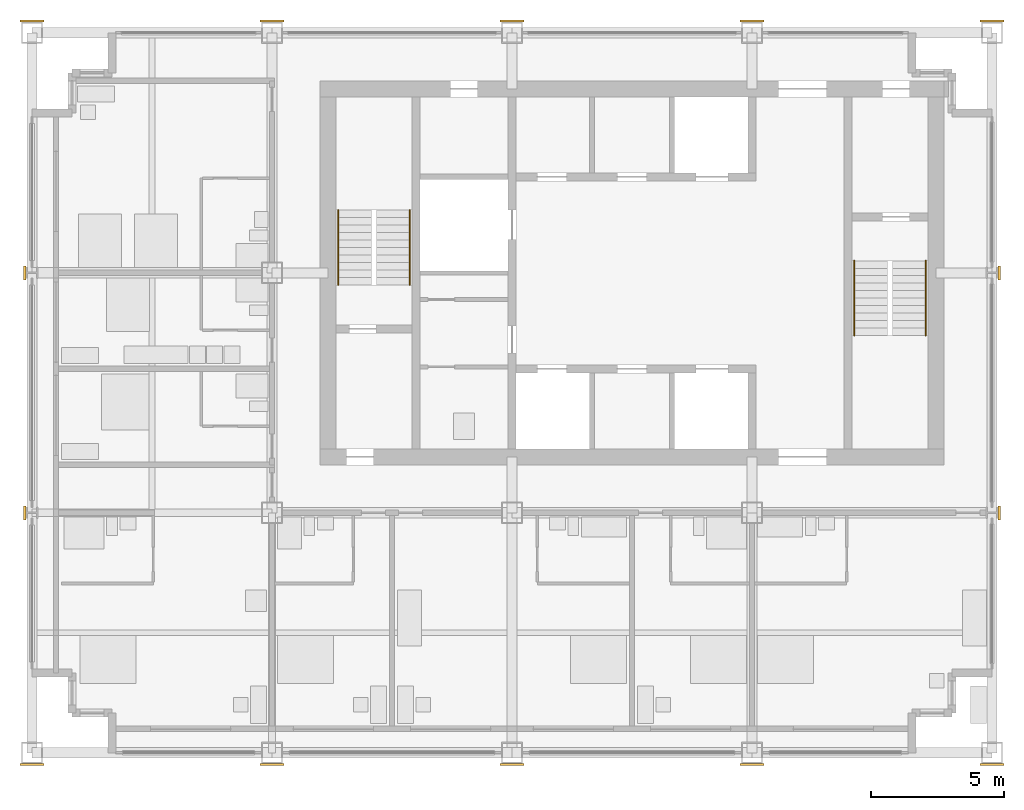
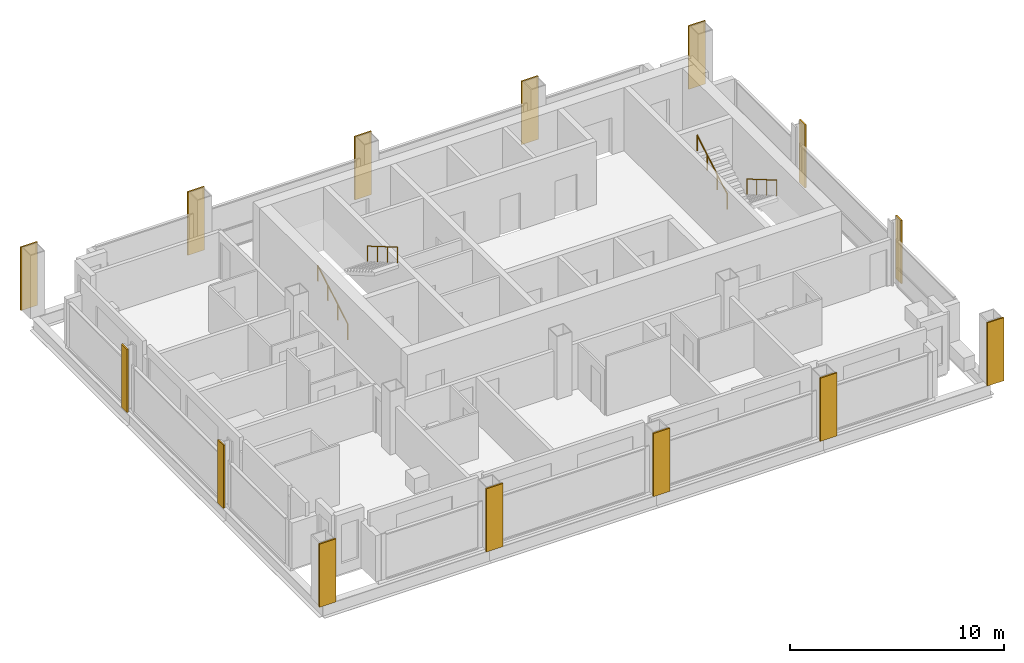
# One storey, part 10 of 12: 14 coverings, 4 railings.
"""IFC4 building model written with IfcOpenShell, lengths in metres."""

from ifc_helpers import new_model, si_unit, direction, frame, origin, origin_2d, place, context, subcontext, project, spatial, rectangle, circle, extrude, material, layer, layer_set, type_object, element, save


model = new_model("IFC4")

# Units and contexts
model_context = context("Model", 3, precision=1e-05, world=origin(), true_north=direction((0.0, 1.0)))
body_context = subcontext(model_context, "Body", "Model", "MODEL_VIEW")
ifc_project = project(units=[si_unit("LENGTHUNIT", "METRE"), si_unit("AREAUNIT", "SQUARE_METRE"), si_unit("VOLUMEUNIT", "CUBIC_METRE"), si_unit("PLANEANGLEUNIT", "RADIAN"), si_unit("MASSUNIT", "GRAM", prefix="KILO")], contexts=[model_context])

# Site, building, storey
site_placement = place(None, origin())
site = spatial("IfcSite", under=ifc_project, at=site_placement, CompositionType="ELEMENT")
building_placement = place(site_placement, origin())
building = spatial("IfcBuilding", under=site, at=building_placement, Name="Loomwork Tower", CompositionType="ELEMENT")
storey_placement = place(building_placement, frame((0.0, 0.0, 237.39990234375)))
storey = spatial("IfcBuildingStorey", under=building, at=storey_placement, Name="L65", CompositionType="ELEMENT", Elevation=237.39990234375)

# Railings
ifc_material_1 = material(Name="Stainless steel handrail", Category="steel")
railing_type = type_object("IfcRailingType", Name="Handrail 900", PredefinedType="HANDRAIL", material=ifc_material_1)
railing_1_placement = place(storey_placement, frame((11.485107421875, 17.550048828125, 0.163818359375)))
element("IfcRailing", 1, at=railing_1_placement, inside=storey, type_object=railing_type, Name="Stair A handrail flight 1 L65", PredefinedType="HANDRAIL", context=body_context, shape_type="SweptSolid", body=[
    extrude(circle(Radius=0.02392578125, at=origin_2d()), frame((0.0, 0.0, 0.8759765625), z_axis=(0.0, 0.863393664356, 0.504530851732), x_axis=(-1.0, 0.0, 0.0)), (0.0, 0.0, 1.0), 3.2431640625),
    extrude(circle(Radius=0.02099609375, at=origin_2d()), origin(), (0.0, 0.0, 1.0), 0.851806640625),
    extrude(circle(Radius=0.02099609375, at=origin_2d()), frame((0.0, 0.933349609375, 0.54541015625)), (0.0, 0.0, 1.0), 0.851806640625),
    extrude(circle(Radius=0.02099609375, at=origin_2d()), frame((0.0, 1.86669921875, 1.0908203125)), (0.0, 0.0, 1.0), 0.851806640625),
    extrude(circle(Radius=0.02099609375, at=origin_2d()), frame((0.0, 2.800048828125, 1.63623046875)), (0.0, 0.0, 1.0), 0.851806640625),
])
railing_2_placement = place(storey_placement, frame((14.1650390625, 20.35009765625, 1.963623046875)))
element("IfcRailing", 2, at=railing_2_placement, inside=storey, type_object=railing_type, Name="Stair A handrail flight 2 L65", PredefinedType="HANDRAIL", context=body_context, shape_type="SweptSolid", body=[
    extrude(circle(Radius=0.02392578125, at=origin_2d()), frame((0.0, 0.0, 0.8759765625), z_axis=(0.0, -0.863360870873, 0.504586966384), x_axis=(1.0, 0.0, 0.0)), (0.0, 0.0, 1.0), 3.2431640625),
    extrude(circle(Radius=0.02099609375, at=origin_2d()), origin(), (0.0, 0.0, 1.0), 0.851806640625),
    extrude(circle(Radius=0.02099609375, at=origin_2d()), frame((0.0, -0.933349609375, 0.54541015625)), (0.0, 0.0, 1.0), 0.851806640625),
    extrude(circle(Radius=0.02099609375, at=origin_2d()), frame((0.0, -1.86669921875, 1.091064453125)), (0.0, 0.0, 1.0), 0.851806640625),
    extrude(circle(Radius=0.02099609375, at=origin_2d()), frame((0.0, -2.800048828125, 1.636474609375)), (0.0, 0.0, 1.0), 0.851806640625),
])
railing_3_placement = place(storey_placement, frame((33.514892578125, 18.449951171875, 0.163818359375)))
element("IfcRailing", 3, at=railing_3_placement, inside=storey, type_object=railing_type, Name="Stair B handrail flight 1 L65", PredefinedType="HANDRAIL", context=body_context, shape_type="SweptSolid", body=[
    extrude(circle(Radius=0.02392578125, at=origin_2d()), frame((0.0, 0.0, 0.8759765625), z_axis=(0.0, -0.863393664356, 0.504530851732), x_axis=(1.0, 0.0, 0.0)), (0.0, 0.0, 1.0), 3.2431640625),
    extrude(circle(Radius=0.02099609375, at=origin_2d()), origin(), (0.0, 0.0, 1.0), 0.851806640625),
    extrude(circle(Radius=0.02099609375, at=origin_2d()), frame((0.0, -0.933349609375, 0.54541015625)), (0.0, 0.0, 1.0), 0.851806640625),
    extrude(circle(Radius=0.02099609375, at=origin_2d()), frame((0.0, -1.86669921875, 1.0908203125)), (0.0, 0.0, 1.0), 0.851806640625),
    extrude(circle(Radius=0.02099609375, at=origin_2d()), frame((0.0, -2.800048828125, 1.63623046875)), (0.0, 0.0, 1.0), 0.851806640625),
])
railing_4_placement = place(storey_placement, frame((30.8349609375, 15.64990234375, 1.963623046875)))
element("IfcRailing", 4, at=railing_4_placement, inside=storey, type_object=railing_type, Name="Stair B handrail flight 2 L65", PredefinedType="HANDRAIL", context=body_context, shape_type="SweptSolid", body=[
    extrude(circle(Radius=0.02392578125, at=origin_2d()), frame((0.0, 0.0, 0.8759765625), z_axis=(0.0, 0.863360870873, 0.504586966384), x_axis=(-1.0, 0.0, 0.0)), (0.0, 0.0, 1.0), 3.2431640625),
    extrude(circle(Radius=0.02099609375, at=origin_2d()), origin(), (0.0, 0.0, 1.0), 0.851806640625),
    extrude(circle(Radius=0.02099609375, at=origin_2d()), frame((0.0, 0.933349609375, 0.54541015625)), (0.0, 0.0, 1.0), 0.851806640625),
    extrude(circle(Radius=0.02099609375, at=origin_2d()), frame((0.0, 1.86669921875, 1.091064453125)), (0.0, 0.0, 1.0), 0.851806640625),
    extrude(circle(Radius=0.02099609375, at=origin_2d()), frame((0.0, 2.800048828125, 1.636474609375)), (0.0, 0.0, 1.0), 0.851806640625),
])

# Coverings
ifc_material_2 = material(Name="Limestone", Category="masonry")
ifc_layer = layer(ifc_material_2, 0.080078125)
ifc_layer_set = layer_set([ifc_layer], Name="Limestone pier facing 80")
covering_type = type_object("IfcCoveringType", Name="Limestone pier facing 80", PredefinedType="CLADDING", material=ifc_layer_set)
covering_1_placement = place(storey_placement, frame((0.0, -0.43994140625, 0.0), z_axis=(0.0, 0.0, 1.0), x_axis=(1.0, 0.0, 0.0)))
element("IfcCovering", 5, at=covering_1_placement, inside=storey, type_object=covering_type, Name="Pier facing D/2 L65", PredefinedType="CLADDING", context=body_context, shape_type="SweptSolid", body=[
    extrude(rectangle(XDim=0.89990234375, YDim=0.080078125, at=origin_2d()), origin(), (0.0, 0.0, 1.0), 3.60009765625),
])
for number, where, z_axis, x_axis, name in (
    (6, (-0.2724609375, 9.0, 0.0), (0.0, 0.0, 1.0), (1.0, 0.0, 0.0), "Pier facing E/2 L65"),
    (7, (-0.2724609375, 18.0, 0.0), (0.0, 0.0, 1.0), (1.0, 0.0, 0.0), "Pier facing F/2 L65"),
):
    element("IfcCovering", number, at=place(storey_placement, frame(where, z_axis=z_axis, x_axis=x_axis)), inside=storey, type_object=covering_type, Name=name, PredefinedType="CLADDING", context=body_context, shape_type="SweptSolid", body=[
        extrude(rectangle(XDim=0.080078125, YDim=0.521484375, at=origin_2d()), origin(), (0.0, 0.0, 1.0), 3.60009765625),
    ])
for number, where, z_axis, x_axis, name in (
    (8, (0.0, 27.43994140625, 0.0), (0.0, 0.0, 1.0), (1.0, 0.0, 0.0), "Pier facing G/2 L65"),
    (9, (9.0, -0.43994140625, 0.0), (0.0, 0.0, 1.0), (1.0, 0.0, 0.0), "Pier facing D/3 L65"),
    (10, (9.0, 27.43994140625, 0.0), (0.0, 0.0, 1.0), (1.0, 0.0, 0.0), "Pier facing G/3 L65"),
    (11, (18.0, -0.43994140625, 0.0), (0.0, 0.0, 1.0), (1.0, 0.0, 0.0), "Pier facing D/4 L65"),
    (12, (18.0, 27.43994140625, 0.0), (0.0, 0.0, 1.0), (1.0, 0.0, 0.0), "Pier facing G/4 L65"),
    (13, (27.0, -0.43994140625, 0.0), (0.0, 0.0, 1.0), (1.0, 0.0, 0.0), "Pier facing D/5 L65"),
    (14, (27.0, 27.43994140625, 0.0), (0.0, 0.0, 1.0), (1.0, 0.0, 0.0), "Pier facing G/5 L65"),
    (15, (36.0, -0.43994140625, 0.0), (0.0, 0.0, 1.0), (1.0, 0.0, 0.0), "Pier facing D/6 L65"),
):
    element("IfcCovering", number, at=place(storey_placement, frame(where, z_axis=z_axis, x_axis=x_axis)), inside=storey, type_object=covering_type, Name=name, PredefinedType="CLADDING", context=body_context, shape_type="SweptSolid", body=[
        extrude(rectangle(XDim=0.89990234375, YDim=0.080078125, at=origin_2d()), origin(), (0.0, 0.0, 1.0), 3.60009765625),
    ])
for number, where, z_axis, x_axis, name in (
    (16, (36.2724609375, 9.0, 0.0), (0.0, 0.0, 1.0), (1.0, 0.0, 0.0), "Pier facing E/6 L65"),
    (17, (36.2724609375, 18.0, 0.0), (0.0, 0.0, 1.0), (1.0, 0.0, 0.0), "Pier facing F/6 L65"),
):
    element("IfcCovering", number, at=place(storey_placement, frame(where, z_axis=z_axis, x_axis=x_axis)), inside=storey, type_object=covering_type, Name=name, PredefinedType="CLADDING", context=body_context, shape_type="SweptSolid", body=[
        extrude(rectangle(XDim=0.080078125, YDim=0.521484375, at=origin_2d()), origin(), (0.0, 0.0, 1.0), 3.60009765625),
    ])
covering_2_placement = place(storey_placement, frame((36.0, 27.43994140625, 0.0), z_axis=(0.0, 0.0, 1.0), x_axis=(1.0, 0.0, 0.0)))
element("IfcCovering", 18, at=covering_2_placement, inside=storey, type_object=covering_type, Name="Pier facing G/6 L65", PredefinedType="CLADDING", context=body_context, shape_type="SweptSolid", body=[
    extrude(rectangle(XDim=0.89990234375, YDim=0.080078125, at=origin_2d()), origin(), (0.0, 0.0, 1.0), 3.60009765625),
])

save(model, "model.ifc")
